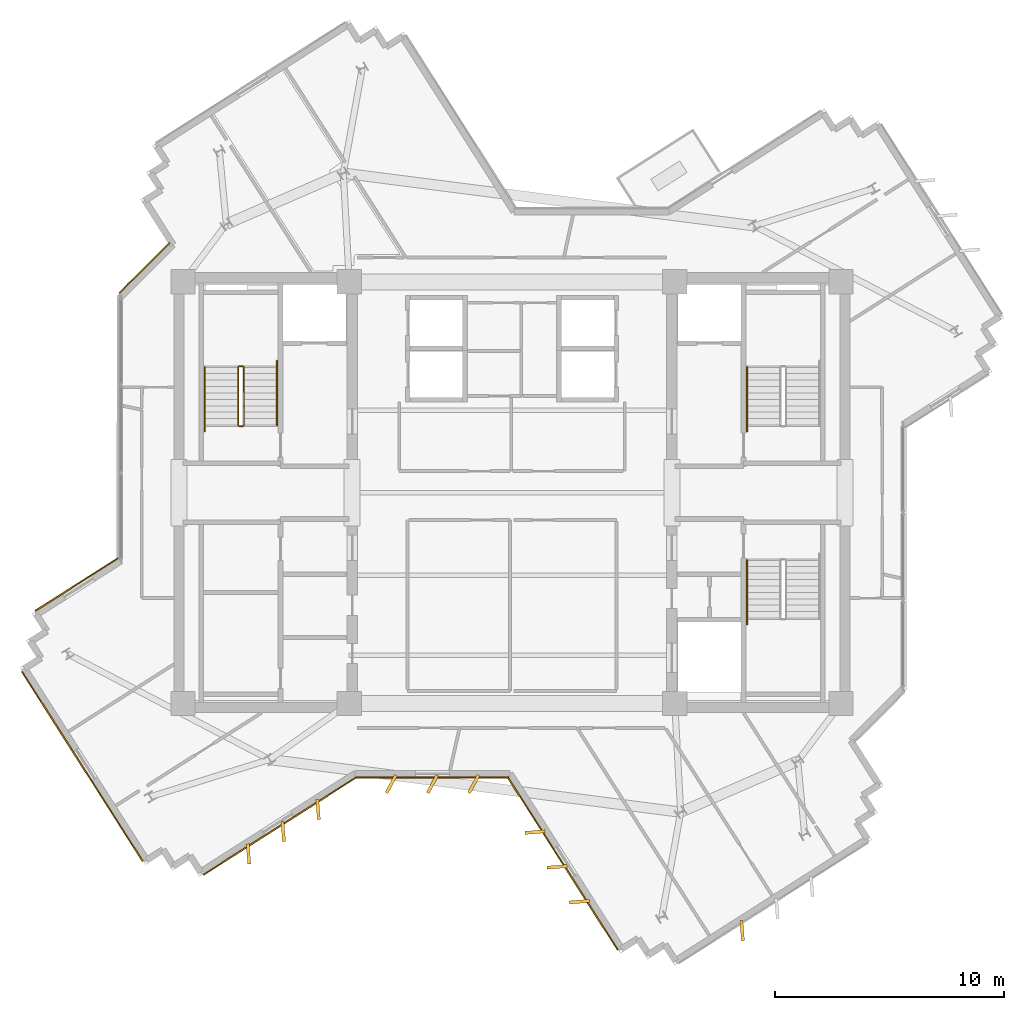
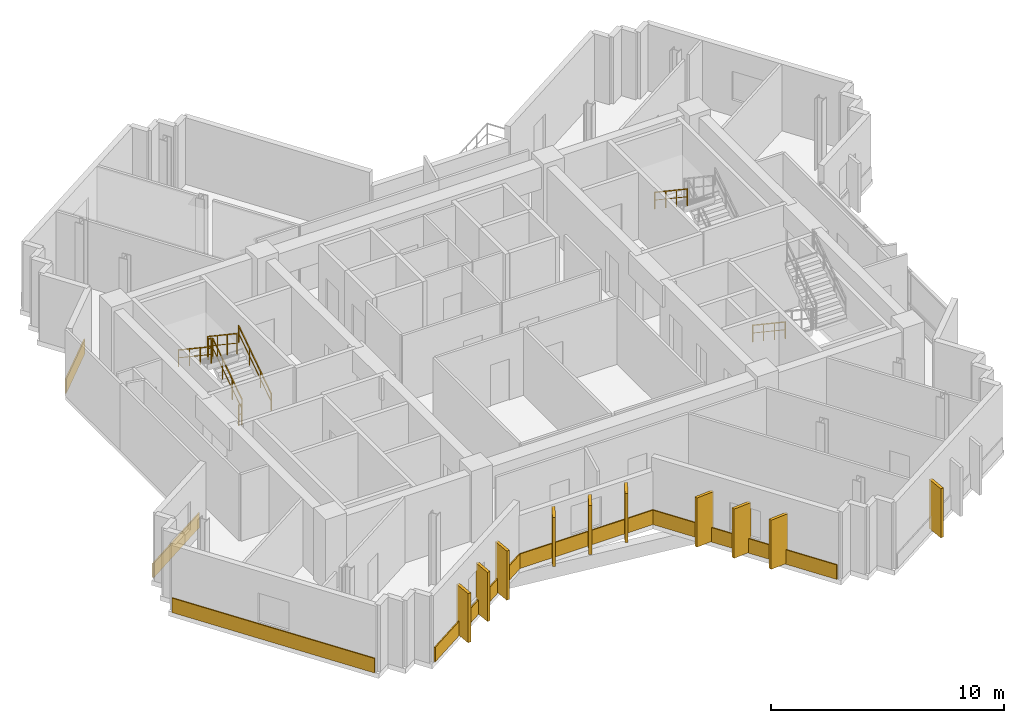
# One storey, part 10 of 12: 16 coverings, 8 railings.
"""IFC4 building model written with IfcOpenShell, lengths in metres."""

from ifc_helpers import new_model, si_unit, direction, frame, origin, origin_2d, place, context, subcontext, project, spatial, rectangle, extrude, source, transform, mapped, material, layer, layer_set, type_object, element, save


model = new_model("IFC4")

# Units and contexts
model_context = context("Model", 3, precision=1e-05, world=origin(), true_north=direction((0.0, 1.0)))
body_context = subcontext(model_context, "Body", "Model", "MODEL_VIEW")
ifc_project = project(units=[si_unit("LENGTHUNIT", "METRE"), si_unit("AREAUNIT", "SQUARE_METRE"), si_unit("VOLUMEUNIT", "CUBIC_METRE"), si_unit("PLANEANGLEUNIT", "RADIAN"), si_unit("MASSUNIT", "GRAM", prefix="KILO")], contexts=[model_context])

# Site, building, storey
site_placement = place(None, origin())
site = spatial("IfcSite", under=ifc_project, at=site_placement, CompositionType="ELEMENT")
building_placement = place(site_placement, origin())
building = spatial("IfcBuilding", under=site, at=building_placement, Name="Zahravan Cultural Tower", CompositionType="ELEMENT")
storey_placement = place(building_placement, frame((0.0, 0.0, 265.35009765625)))
storey = spatial("IfcBuildingStorey", under=building, at=storey_placement, Name="L63", CompositionType="ELEMENT", Elevation=265.35009765625)

# Railings
ifc_material_1 = material(Name="Steel ASTM A572 Grade 50", Category="steel")
railing_type_1 = type_object("IfcRailingType", Name="RL-STAIR-GRD1150", PredefinedType="BALUSTRADE", material=ifc_material_1)
railing_1_placement = place(storey_placement, frame((24.300048828125, 29.949951171875, 0.1875)))
element("IfcRailing", 1, at=railing_1_placement, inside=storey, type_object=railing_type_1, Name="L63 ST-W1 stair guard 1", PredefinedType="BALUSTRADE", context=body_context, shape_type="SweptSolid", body=[
    extrude(rectangle(XDim=0.05, YDim=0.05, at=origin_2d()), frame((0.0, 0.0, 1.0751953125), z_axis=(0.0, 0.830909170722, 0.55640807867), x_axis=(-1.0, 0.0, 0.0)), (0.0, 0.0, 1.0), 3.032958984375),
    extrude(rectangle(XDim=0.032, YDim=0.032, at=origin_2d()), frame((0.0, 0.0, 0.572021484375), z_axis=(0.0, 0.830909170722, 0.55640807867), x_axis=(-1.0, 0.0, 0.0)), (0.0, 0.0, 1.0), 3.032958984375),
    extrude(rectangle(XDim=0.04, YDim=0.04, at=origin_2d()), origin(), (0.0, 0.0, 1.0), 1.10009765625),
    extrude(rectangle(XDim=0.04, YDim=0.04, at=origin_2d()), frame((0.0, 0.840087890625, 0.5625)), (0.0, 0.0, 1.0), 1.10009765625),
    extrude(rectangle(XDim=0.04, YDim=0.04, at=origin_2d()), frame((0.0, 1.679931640625, 1.125)), (0.0, 0.0, 1.0), 1.10009765625),
    extrude(rectangle(XDim=0.04, YDim=0.04, at=origin_2d()), frame((0.0, 2.52001953125, 1.6875)), (0.0, 0.0, 1.0), 1.10009765625),
])
railing_2_placement = place(storey_placement, frame((24.25, 32.52001953125, 1.875)))
element("IfcRailing", 2, at=railing_2_placement, inside=storey, type_object=railing_type_1, Name="L63 ST-W1 stair guard 2", PredefinedType="BALUSTRADE", context=body_context, shape_type="SweptSolid", body=[
    extrude(rectangle(XDim=0.05, YDim=0.05, at=origin_2d()), frame((0.0, 0.0, 1.0751953125), z_axis=(-1.0, 0.0, 0.0), x_axis=(0.0, -1.0, 0.0)), (0.0, 0.0, 1.0), 0.14990234375),
    extrude(rectangle(XDim=0.032, YDim=0.032, at=origin_2d()), frame((0.0, 0.0, 0.572021484375), z_axis=(-1.0, 0.0, 0.0), x_axis=(0.0, -1.0, 0.0)), (0.0, 0.0, 1.0), 0.14990234375),
    extrude(rectangle(XDim=0.04, YDim=0.04, at=origin_2d()), origin(), (0.0, 0.0, 1.0), 1.10009765625),
    extrude(rectangle(XDim=0.04, YDim=0.04, at=origin_2d()), frame((-0.14990234375, 0.0, 0.0)), (0.0, 0.0, 1.0), 1.10009765625),
])
railing_3_placement = place(storey_placement, frame((24.050048828125, 32.469970703125, 2.0625)))
element("IfcRailing", 3, at=railing_3_placement, inside=storey, type_object=railing_type_1, Name="L63 ST-W1 stair guard 3", PredefinedType="BALUSTRADE", context=body_context, shape_type="SweptSolid", body=[
    extrude(rectangle(XDim=0.05, YDim=0.05, at=origin_2d()), frame((0.0, 0.0, 1.0751953125), z_axis=(0.0, -0.830909170722, 0.55640807867), x_axis=(1.0, 0.0, 0.0)), (0.0, 0.0, 1.0), 3.032958984375),
    extrude(rectangle(XDim=0.032, YDim=0.032, at=origin_2d()), frame((0.0, 0.0, 0.572021484375), z_axis=(0.0, -0.830909170722, 0.55640807867), x_axis=(1.0, 0.0, 0.0)), (0.0, 0.0, 1.0), 3.032958984375),
    extrude(rectangle(XDim=0.04, YDim=0.04, at=origin_2d()), origin(), (0.0, 0.0, 1.0), 1.10009765625),
    extrude(rectangle(XDim=0.04, YDim=0.04, at=origin_2d()), frame((0.0, -0.840087890625, 0.5625)), (0.0, 0.0, 1.0), 1.10009765625),
    extrude(rectangle(XDim=0.04, YDim=0.04, at=origin_2d()), frame((0.0, -1.679931640625, 1.125)), (0.0, 0.0, 1.0), 1.10009765625),
    extrude(rectangle(XDim=0.04, YDim=0.04, at=origin_2d()), frame((0.0, -2.52001953125, 1.6875)), (0.0, 0.0, 1.0), 1.10009765625),
])
railing_4_placement = place(storey_placement, frame((24.25, 29.89990234375, 0.0)))
element("IfcRailing", 4, at=railing_4_placement, inside=storey, type_object=railing_type_1, Name="L63 ST-W1 stair guard 4", PredefinedType="BALUSTRADE", context=body_context, shape_type="SweptSolid", body=[
    extrude(rectangle(XDim=0.05, YDim=0.05, at=origin_2d()), frame((0.0, 0.0, 1.0751953125), z_axis=(-1.0, 0.0, 0.0), x_axis=(0.0, -1.0, 0.0)), (0.0, 0.0, 1.0), 0.14990234375),
    extrude(rectangle(XDim=0.032, YDim=0.032, at=origin_2d()), frame((0.0, 0.0, 0.572021484375), z_axis=(-1.0, 0.0, 0.0), x_axis=(0.0, -1.0, 0.0)), (0.0, 0.0, 1.0), 0.14990234375),
    extrude(rectangle(XDim=0.04, YDim=0.04, at=origin_2d()), origin(), (0.0, 0.0, 1.0), 1.10009765625),
    extrude(rectangle(XDim=0.04, YDim=0.04, at=origin_2d()), frame((-0.14990234375, 0.0, 0.0)), (0.0, 0.0, 1.0), 1.10009765625),
])
railing_type_2 = type_object("IfcRailingType", Name="RL-STAIR-HR900", PredefinedType="HANDRAIL", material=ifc_material_1)
railing_5_placement = place(storey_placement, frame((25.75, 29.949951171875, 0.1875)))
element("IfcRailing", 5, at=railing_5_placement, inside=storey, type_object=railing_type_2, Name="L63 ST-W1 stair handrail 1", PredefinedType="HANDRAIL", context=body_context, shape_type="SweptSolid", body=[
    extrude(rectangle(XDim=0.05, YDim=0.05, at=origin_2d()), frame((0.0, 0.0, 0.875), z_axis=(0.0, 0.830911662861, 0.55640435703), x_axis=(-1.0, 0.0, 0.0)), (0.0, 0.0, 1.0), 3.369873046875),
    extrude(rectangle(XDim=0.032, YDim=0.032, at=origin_2d()), frame((0.0, 0.0, 0.468017578125), z_axis=(0.0, 0.830911662861, 0.55640435703), x_axis=(-1.0, 0.0, 0.0)), (0.0, 0.0, 1.0), 3.369873046875),
    extrude(rectangle(XDim=0.04, YDim=0.04, at=origin_2d()), origin(), (0.0, 0.0, 1.0), 0.89990234375),
    extrude(rectangle(XDim=0.04, YDim=0.04, at=origin_2d()), frame((0.0, 0.933349609375, 0.625)), (0.0, 0.0, 1.0), 0.89990234375),
    extrude(rectangle(XDim=0.04, YDim=0.04, at=origin_2d()), frame((0.0, 1.86669921875, 1.25)), (0.0, 0.0, 1.0), 0.89990234375),
    extrude(rectangle(XDim=0.04, YDim=0.04, at=origin_2d()), frame((0.0, 2.800048828125, 1.875)), (0.0, 0.0, 1.0), 0.89990234375),
])
for number, where, name in (
    (6, (22.60009765625, 32.469970703125, 2.0625), "L63 ST-W1 stair handrail 2"),
    (7, (46.25, 32.469970703125, 2.0625), "L63 ST-E1 stair handrail 2"),
    (8, (46.25, 24.050048828125, 0.1875), "L63 ST-E2 stair handrail 1"),
):
    element("IfcRailing", number, at=place(storey_placement, frame(where)), inside=storey, type_object=railing_type_2, Name=name, PredefinedType="HANDRAIL", context=body_context, shape_type="SweptSolid", body=[
        extrude(rectangle(XDim=0.05, YDim=0.05, at=origin_2d()), frame((0.0, 0.0, 0.875), z_axis=(0.0, -0.830911662861, 0.55640435703), x_axis=(1.0, 0.0, 0.0)), (0.0, 0.0, 1.0), 3.369873046875),
        extrude(rectangle(XDim=0.032, YDim=0.032, at=origin_2d()), frame((0.0, 0.0, 0.468017578125), z_axis=(0.0, -0.830911662861, 0.55640435703), x_axis=(1.0, 0.0, 0.0)), (0.0, 0.0, 1.0), 3.369873046875),
        extrude(rectangle(XDim=0.04, YDim=0.04, at=origin_2d()), origin(), (0.0, 0.0, 1.0), 0.89990234375),
        extrude(rectangle(XDim=0.04, YDim=0.04, at=origin_2d()), frame((0.0, -0.933349609375, 0.625)), (0.0, 0.0, 1.0), 0.89990234375),
        extrude(rectangle(XDim=0.04, YDim=0.04, at=origin_2d()), frame((0.0, -1.86669921875, 1.25)), (0.0, 0.0, 1.0), 0.89990234375),
        extrude(rectangle(XDim=0.04, YDim=0.04, at=origin_2d()), frame((0.0, -2.800048828125, 1.875)), (0.0, 0.0, 1.0), 0.89990234375),
    ])

# Coverings
ifc_material_2 = material(Name="Terracotta ceramic cladding", Category="masonry")
ifc_layer = layer(ifc_material_2, 0.06005859375)
ifc_layer_set = layer_set([ifc_layer], Name="Terracotta ceramic cladding")
covering_type = type_object("IfcCoveringType", Name="COV-CLAD-TC60", PredefinedType="CLADDING", material=ifc_layer_set)
shared_shape_1 = source(origin(), body_context, "Body", "SweptSolid", [
    extrude(rectangle(XDim=9.81982421875, YDim=0.06005859375, at=origin_2d()), origin(), (0.0, 0.0, 1.0), 0.760009765625),
])
covering_1_placement = place(storey_placement, frame((17.255615234375, 15.05859375, 0.02001953125), z_axis=(0.0, 0.0, 1.0), x_axis=(-0.537299608347, 0.843391445813, 0.0)))
element("IfcCovering", 9, at=covering_1_placement, inside=storey, type_object=covering_type, Name="L63 Terracotta Spandrel Cladding 30", PredefinedType="CLADDING", context=body_context, shape_type="MappedRepresentation", body=[
    mapped(shared_shape_1, transform((0.0, 0.0, 0.0), x_axis=(1.0, 0.0, 0.0), y_axis=(0.0, 1.0, 0.0), z_axis=(0.0, 0.0, 1.0), scale=1.0)),
])
shared_shape_2 = source(origin(), body_context, "Body", "SweptSolid", [
    extrude(rectangle(XDim=0.8798828125, YDim=0.139892578125, at=origin_2d()), origin(), (0.0, 0.0, 1.0), 2.580078125),
])
for number, where, z_axis, x_axis, name in (
    (10, (46.039306640625, 7.8916015625, 0.0498046875), (0.0, 0.0, 1.0), (0.078459095728, -0.996917333733, 0.0), "L63 Herringbone Terracotta Fin 07"),
    (11, (38.93701171875, 9.156982421875, 0.0498046875), (0.0, 0.0, 1.0), (-0.996917333733, -0.078459095728, 0.0), "L63 Herringbone Terracotta Fin 08"),
    (12, (37.969970703125, 10.675048828125, 0.0498046875), (0.0, 0.0, 1.0), (-0.996917333733, -0.078459095728, 0.0), "L63 Herringbone Terracotta Fin 09"),
    (13, (37.002685546875, 12.193115234375, 0.0498046875), (0.0, 0.0, 1.0), (-0.996917333733, -0.078459095728, 0.0), "L63 Herringbone Terracotta Fin 10"),
    (14, (34.33251953125, 14.2900390625, 0.0498046875), (0.0, 0.0, 1.0), (-0.469471562786, -0.882947592859, 0.0), "L63 Herringbone Terracotta Fin 11"),
    (15, (32.532470703125, 14.2900390625, 0.0498046875), (0.0, 0.0, 1.0), (-0.469471562786, -0.882947592859, 0.0), "L63 Herringbone Terracotta Fin 12"),
    (16, (30.732421875, 14.2900390625, 0.0498046875), (0.0, 0.0, 1.0), (-0.469471562786, -0.882947592859, 0.0), "L63 Herringbone Terracotta Fin 13"),
    (17, (27.538818359375, 13.179443359375, 0.0498046875), (0.0, 0.0, 1.0), (0.078459095728, -0.996917333733, 0.0), "L63 Herringbone Terracotta Fin 14"),
    (18, (26.020751953125, 12.21240234375, 0.0498046875), (0.0, 0.0, 1.0), (0.078459095728, -0.996917333733, 0.0), "L63 Herringbone Terracotta Fin 15"),
    (19, (24.502685546875, 11.2451171875, 0.0498046875), (0.0, 0.0, 1.0), (0.078459095728, -0.996917333733, 0.0), "L63 Herringbone Terracotta Fin 16"),
):
    element("IfcCovering", number, at=place(storey_placement, frame(where, z_axis=z_axis, x_axis=x_axis)), inside=storey, type_object=covering_type, Name=name, PredefinedType="CLADDING", context=body_context, shape_type="MappedRepresentation", body=[
        mapped(shared_shape_2, transform((0.0, 0.0, 0.0), x_axis=(1.0, 0.0, 0.0), y_axis=(0.0, 1.0, 0.0), z_axis=(0.0, 0.0, 1.0), scale=1.0)),
    ])
shared_shape_3 = source(origin(), body_context, "Body", "SweptSolid", [
    extrude(rectangle(XDim=7.896240234375, YDim=0.06005859375, at=origin_2d()), origin(), (0.0, 0.0, 1.0), 0.760009765625),
])
covering_2_placement = place(storey_placement, frame((25.86767578125, 12.45263671875, 0.02001953125), z_axis=(0.0, 0.0, 1.0), x_axis=(-0.843391445813, -0.537299608347, 0.0)))
element("IfcCovering", 20, at=covering_2_placement, inside=storey, type_object=covering_type, Name="L63 Terracotta Spandrel Cladding 25", PredefinedType="CLADDING", context=body_context, shape_type="MappedRepresentation", body=[
    mapped(shared_shape_3, transform((0.0, 0.0, 0.0), x_axis=(1.0, 0.0, 0.0), y_axis=(0.0, 1.0, 0.0), z_axis=(0.0, 0.0, 1.0), scale=1.0)),
])
shared_shape_4 = source(origin(), body_context, "Body", "SweptSolid", [
    extrude(rectangle(XDim=4.275146484375, YDim=0.06005859375, at=origin_2d()), origin(), (0.0, 0.0, 1.0), 0.760009765625),
])
covering_3_placement = place(storey_placement, frame((17.00634765625, 22.9921875, 0.02001953125), z_axis=(0.0, 0.0, 1.0), x_axis=(0.843382068037, 0.537314328223, 0.0)))
element("IfcCovering", 21, at=covering_3_placement, inside=storey, type_object=covering_type, Name="L63 Terracotta Spandrel Cladding 35", PredefinedType="CLADDING", context=body_context, shape_type="MappedRepresentation", body=[
    mapped(shared_shape_4, transform((0.0, 0.0, 0.0), x_axis=(1.0, 0.0, 0.0), y_axis=(0.0, 1.0, 0.0), z_axis=(0.0, 0.0, 1.0), scale=1.0)),
])
shared_shape_5 = source(origin(), body_context, "Body", "SweptSolid", [
    extrude(rectangle(XDim=3.114990234375, YDim=0.06005859375, at=origin_2d()), origin(), (0.0, 0.0, 1.0), 0.760009765625),
])
covering_4_placement = place(storey_placement, frame((19.9599609375, 36.79541015625, 0.02001953125), z_axis=(0.0, 0.0, 1.0), x_axis=(0.707094439737, 0.70711912242, 0.0)))
element("IfcCovering", 22, at=covering_4_placement, inside=storey, type_object=covering_type, Name="L63 Terracotta Spandrel Cladding 36", PredefinedType="CLADDING", context=body_context, shape_type="MappedRepresentation", body=[
    mapped(shared_shape_5, transform((0.0, 0.0, 0.0), x_axis=(1.0, 0.0, 0.0), y_axis=(0.0, 1.0, 0.0), z_axis=(0.0, 0.0, 1.0), scale=1.0)),
])
shared_shape_6 = source(origin(), body_context, "Body", "SweptSolid", [
    extrude(rectangle(XDim=8.96630859375, YDim=0.06005859375, at=origin_2d()), origin(), (0.0, 0.0, 1.0), 0.760009765625),
])
covering_5_placement = place(storey_placement, frame((38.210205078125, 10.828125, 0.02001953125), z_axis=(0.0, 0.0, 1.0), x_axis=(-0.537299608347, 0.843391445813, 0.0)))
element("IfcCovering", 23, at=covering_5_placement, inside=storey, type_object=covering_type, Name="L63 Terracotta Spandrel Cladding 23", PredefinedType="CLADDING", context=body_context, shape_type="MappedRepresentation", body=[
    mapped(shared_shape_6, transform((0.0, 0.0, 0.0), x_axis=(1.0, 0.0, 0.0), y_axis=(0.0, 1.0, 0.0), z_axis=(0.0, 0.0, 1.0), scale=1.0)),
])
shared_shape_7 = source(origin(), body_context, "Body", "SweptSolid", [
    extrude(rectangle(XDim=6.662841796875, YDim=0.06005859375, at=origin_2d()), origin(), (0.0, 0.0, 1.0), 0.760009765625),
])
covering_6_placement = place(storey_placement, frame((32.532470703125, 14.574951171875, 0.02001953125), z_axis=(0.0, 0.0, 1.0), x_axis=(-1.0, 0.0, 0.0)))
element("IfcCovering", 24, at=covering_6_placement, inside=storey, type_object=covering_type, Name="L63 Terracotta Spandrel Cladding 24", PredefinedType="CLADDING", context=body_context, shape_type="MappedRepresentation", body=[
    mapped(shared_shape_7, transform((0.0, 0.0, 0.0), x_axis=(1.0, 0.0, 0.0), y_axis=(0.0, 1.0, 0.0), z_axis=(0.0, 0.0, 1.0), scale=1.0)),
])

save(model, "model.ifc")
